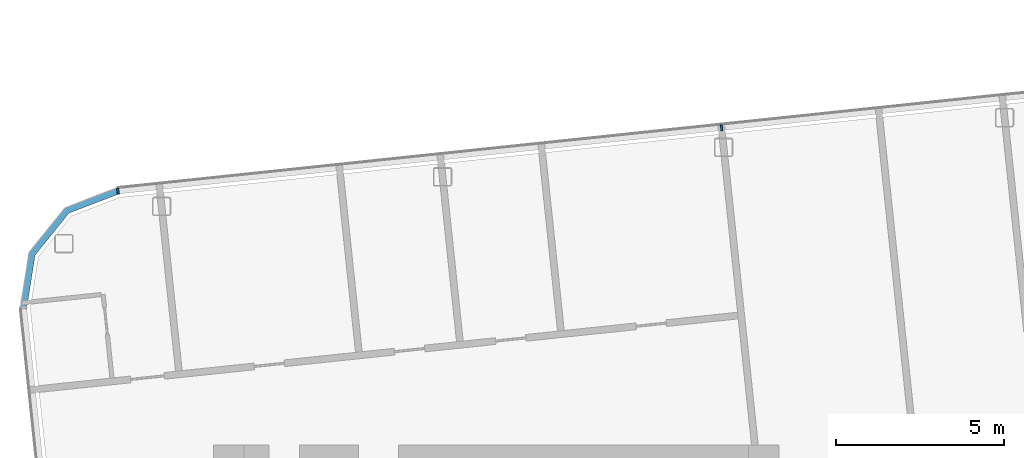
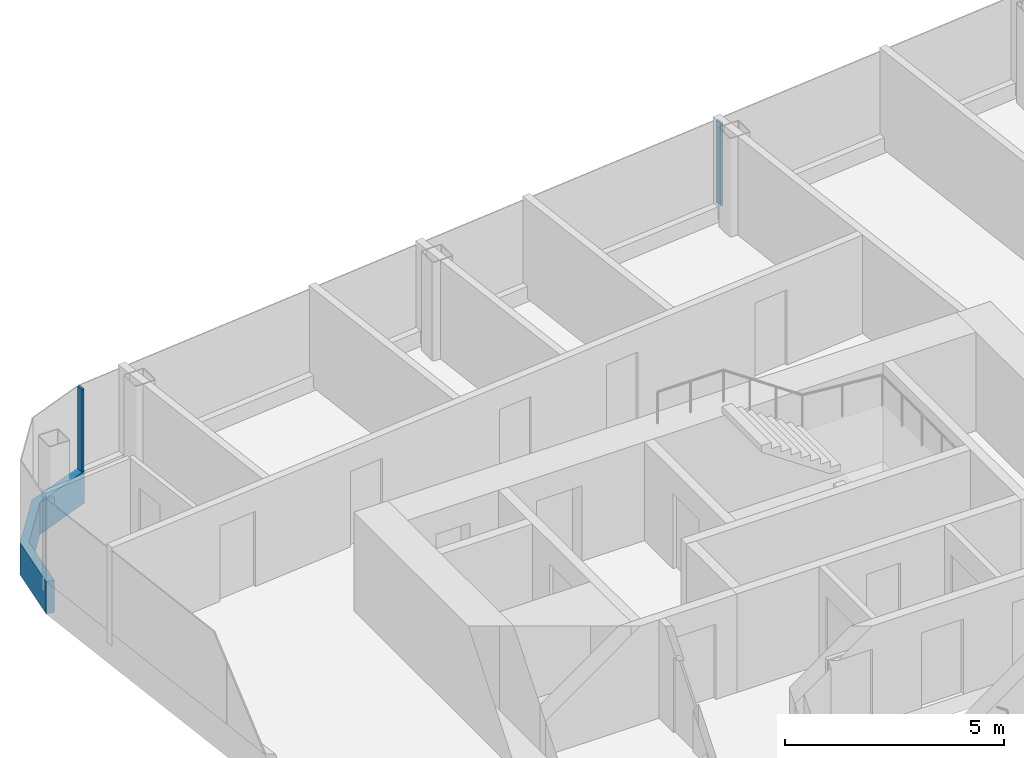
# One storey, part 8 of 27: 3 members, 2 elements without a shape of their own.
"""IFC4 building model written with IfcOpenShell, lengths in metres."""

from ifc_helpers import new_model, si_unit, direction, frame, origin, origin_2d, place, context, subcontext, project, spatial, polyline, rectangle, outline, extrude, material, layer, layer_set, material_profile, profile_set, type_object, element, aggregate, save


model = new_model("IFC4")

# Units and contexts
model_context = context("Model", 3, precision=1e-05, world=origin(), true_north=direction((0.0, 1.0)))
body_context = subcontext(model_context, "Body", "Model", "MODEL_VIEW")
ifc_project = project(units=[si_unit("LENGTHUNIT", "METRE"), si_unit("AREAUNIT", "SQUARE_METRE"), si_unit("VOLUMEUNIT", "CUBIC_METRE"), si_unit("PLANEANGLEUNIT", "RADIAN"), si_unit("MASSUNIT", "GRAM", prefix="KILO")], contexts=[model_context])

# Site, building, storey
site_placement = place(None, origin())
site = spatial("IfcSite", under=ifc_project, at=site_placement, CompositionType="ELEMENT")
building_placement = place(site_placement, origin())
building = spatial("IfcBuilding", under=site, at=building_placement, Name="Hakoniwa Tower and Hamabe Station Hall", CompositionType="ELEMENT")
storey_placement = place(building_placement, frame((0.0, 0.0, 261.39990234375)))
storey = spatial("IfcBuildingStorey", under=building, at=storey_placement, Name="L74", CompositionType="ELEMENT", Elevation=261.39990234375)

# Curtain wall, member
ifc_material_1 = material(Name="Dark low-e laminated glass", Category="glass")
ifc_layer = layer(ifc_material_1, 0.199951171875)
ifc_layer_set = layer_set([ifc_layer], Name="CW-1 UNITISED GUEST")
curtain_wall_type = type_object("IfcCurtainWallType", Name="CW-1 UNITISED GUEST", PredefinedType="NOTDEFINED", material=ifc_layer_set)
curtain_wall_1_placement = place(storey_placement, origin())
curtain_wall_1 = element("IfcCurtainWall", 1, at=curtain_wall_1_placement, inside=storey, type_object=curtain_wall_type, Name="CW-1 curtain wall", PredefinedType="NOTDEFINED")
ifc_material_2 = material(Name="Aluminium 6063-T5 black anodised", Category="aluminium")
ifc_material_profile_1 = material_profile(ifc_material_2, rectangle(XDim=0.199951171875, YDim=0.89990234375, at=origin_2d()), Name="CW SLAB-EDGE BAND 900X200")
ifc_profile_set_1 = profile_set([ifc_material_profile_1], Name="Aluminium 6063-T5 black anodised")
member_type_1 = type_object("IfcMemberType", Name="CW SLAB-EDGE BAND 900X200", PredefinedType="USERDEFINED", material=ifc_profile_set_1)
member_1_placement = place(storey_placement, frame((0.0, 0.0, -0.5498046875)))
member_1 = element("IfcMember", 2, at=member_1_placement, type_object=member_type_1, Name="CW-1 transom", ObjectType="TRANSOM", PredefinedType="USERDEFINED", context=body_context, shape_type="SweptSolid", body=[
    extrude(outline(polyline([(-36.45703125, 16.0634765625), (-38.0185546875, 15.464111328125), (-39.09716796875, 14.13232421875), (-39.35888671875, 12.47998046875), (-39.161376953125, 12.44873046875), (-38.907958984375, 14.048095703125), (-37.89697265625, 15.296630859375), (-36.38525390625, 15.876708984375), (-36.45703125, 16.0634765625)])), origin(), (0.0, 0.0, 1.0), 0.89990234375),
])
aggregate(curtain_wall_1, [member_1])

# Curtain wall, members
curtain_wall_2_placement = place(storey_placement, origin())
curtain_wall_2 = element("IfcCurtainWall", 3, at=curtain_wall_2_placement, inside=storey, type_object=curtain_wall_type, Name="CW-1 curtain wall", PredefinedType="NOTDEFINED")
ifc_material_3 = material(Name="Aluminium 6063-T5 black anodised", Category="aluminium")
ifc_material_profile_2 = material_profile(ifc_material_3, rectangle(XDim=0.06005859375, YDim=0.179931640625, at=origin_2d()), Name="CW-1 MULLION 60X180")
ifc_profile_set_2 = profile_set([ifc_material_profile_2], Name="Aluminium 6063-T5 black anodised")
member_type_2 = type_object("IfcMemberType", Name="CW-1 MULLION 60X180", PredefinedType="MULLION", material=ifc_profile_set_2)
member_2_placement = place(storey_placement, frame((-18.50390625, 17.831787109375, 0.35009765625), z_axis=(0.0, 0.0, 1.0), x_axis=(-0.994521895272, -0.104528464188, 0.0)))
member_2 = element("IfcMember", 4, at=member_2_placement, type_object=member_type_2, Name="CW-1 mullion", PredefinedType="MULLION", context=body_context, shape_type="SweptSolid", body=[
    extrude(rectangle(XDim=0.06005859375, YDim=0.179931640625, at=origin_2d()), origin(), (0.0, 0.0, 1.0), 2.300048828125),
])
member_3_placement = place(storey_placement, frame((-36.444580078125, 15.946044921875, 0.35009765625), z_axis=(0.0, 0.0, 1.0), x_axis=(-0.994521895272, -0.104528464188, 0.0)))
member_3 = element("IfcMember", 5, at=member_3_placement, type_object=member_type_2, Name="CW-1 mullion", PredefinedType="MULLION", context=body_context, shape_type="SweptSolid", body=[
    extrude(rectangle(XDim=0.06005859375, YDim=0.179931640625, at=origin_2d()), origin(), (0.0, 0.0, 1.0), 2.300048828125),
])
aggregate(curtain_wall_2, [member_2, member_3])

save(model, "model.ifc")
